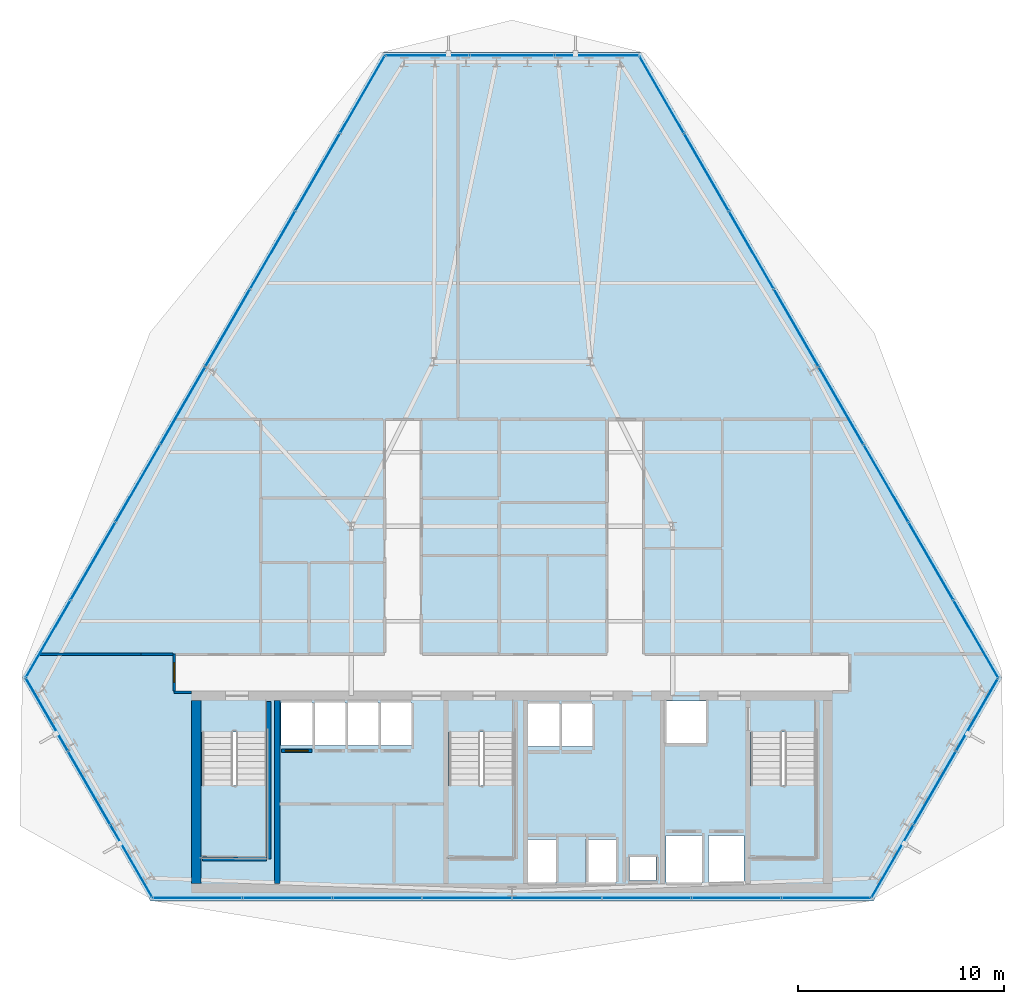
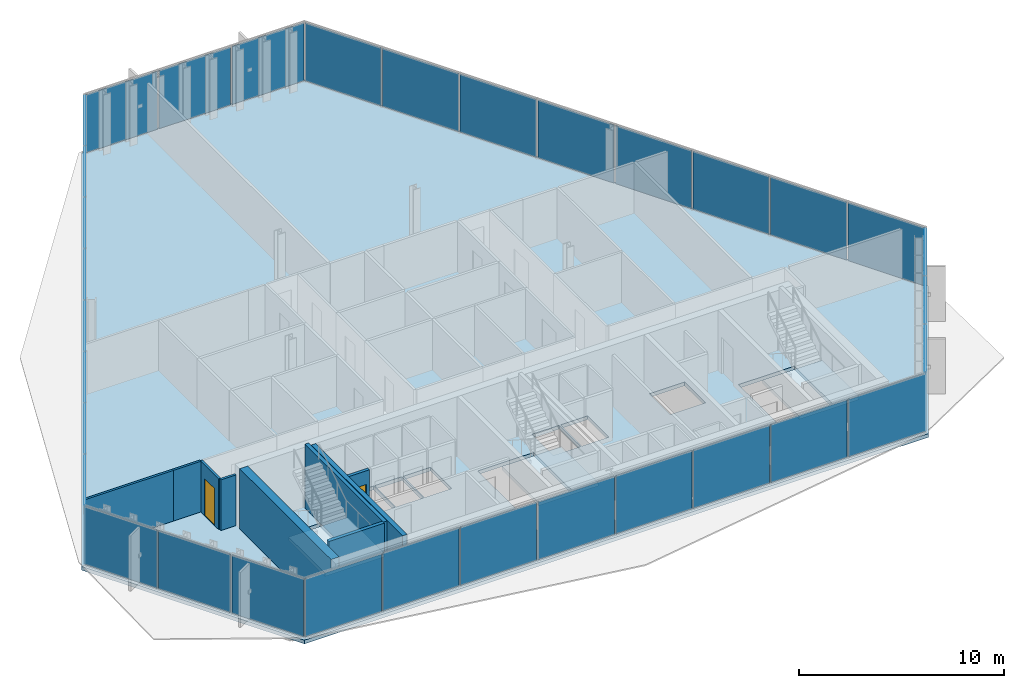
# One storey, part 26 of 36: 33 plates, 9 walls, 4 slabs, 2 doors, 2 openings, 9 elements without a shape of their own.
"""IFC4 building model written with IfcOpenShell, lengths in metres."""

import ifcopenshell
import ifcopenshell.guid

model = None  # the IFC model being written
_history = None  # IfcOwnerHistory: only IFC2X3 demands one
_inside = {}  # id of a spatial element -> (the spatial element, [elements in it])
_under = {}  # id of a project, library or spatial element -> (it, [spatial elements below it])
_declared = {}  # id of a project -> (the project, [libraries it declares])
_typed = {}  # id of a type object -> (the type object, [elements of that type])
_made_of = {}  # id of a material, layer set ... -> (it, [elements and type objects made of it])


def new_model(schema):
    """Start an empty IFC model of exactly this schema.

    Asked for "IFC4X3", IfcOpenShell would pick the latest addendum, in which some entities
    have other attributes; the version numbers below select the first issue.
    IFC2X3 requires an IfcOwnerHistory on every rooted entity: one is made here for all.
    """
    global model, _history
    if schema == "IFC4X3":
        model = ifcopenshell.file(schema_version=(4, 3, 0, 0))
    else:
        model = ifcopenshell.file(schema=schema)
    _inside.clear()
    _under.clear()
    _declared.clear()
    _typed.clear()
    _made_of.clear()
    _history = None
    if model.schema == "IFC2X3":
        org = make("IfcOrganization", Name="unknown")
        user = make(
            "IfcPersonAndOrganization",
            ThePerson=make("IfcPerson", FamilyName="unknown"),
            TheOrganization=org,
        )
        app = make(
            "IfcApplication",
            ApplicationDeveloper=org,
            Version="unknown",
            ApplicationFullName="unknown",
            ApplicationIdentifier="unknown",
        )
        _history = make(
            "IfcOwnerHistory",
            OwningUser=user,
            OwningApplication=app,
            ChangeAction="ADDED",
            CreationDate=0,
        )
    return model


def make(cls, **values):
    """One entity of the class cls with the attributes given. An attribute that is None is left unset."""
    return model.create_entity(
        cls, **{name: value for name, value in values.items() if value is not None}
    )


def rooted(cls, **values):
    """An entity with a GlobalId (a new one), such as an element, a storey or a relation."""
    return make(cls, GlobalId=ifcopenshell.guid.new(), OwnerHistory=_history, **values)


def si_unit(unit_type, name, prefix=None):
    """IfcSIUnit, for example si_unit("LENGTHUNIT", "METRE", prefix="MILLI")."""
    return make("IfcSIUnit", UnitType=unit_type, Prefix=prefix, Name=name)


def assignment(units):
    """IfcUnitAssignment: the units of a project."""
    return None if units is None else make("IfcUnitAssignment", Units=units)


def point(xyz):
    """IfcCartesianPoint."""
    return None if xyz is None else make("IfcCartesianPoint", Coordinates=xyz)


def direction(xyz):
    """IfcDirection."""
    return None if xyz is None else make("IfcDirection", DirectionRatios=xyz)


def frame(location, z_axis=None, x_axis=None):
    """IfcAxis2Placement3D, a coordinate frame: its origin and axes. An axis left out is left unset."""
    return make(
        "IfcAxis2Placement3D",
        Location=point(location),
        Axis=direction(z_axis),
        RefDirection=direction(x_axis),
    )


def frame_2d(location, x_axis=None):
    """IfcAxis2Placement2D, a coordinate frame in the plane: its origin and x axis."""
    return make(
        "IfcAxis2Placement2D", Location=point(location), RefDirection=direction(x_axis)
    )


def origin():
    """The frame at (0, 0, 0) with its axes left unset."""
    return frame((0.0, 0.0, 0.0))


def origin_2d():
    """The frame at (0, 0) in the plane with its x axis left unset."""
    return frame_2d((0.0, 0.0))


def place(relative_to, where):
    """IfcLocalPlacement: puts the frame where relative to a parent placement (None: the world)."""
    return make(
        "IfcLocalPlacement", PlacementRelTo=relative_to, RelativePlacement=where
    )


def context(
    kind, dimensions, precision=None, world=None, true_north=None, identifier=None
):
    """IfcGeometricRepresentationContext, for example the 3D "Model" context."""
    return make(
        "IfcGeometricRepresentationContext",
        ContextIdentifier=identifier,
        ContextType=kind,
        CoordinateSpaceDimension=dimensions,
        Precision=precision,
        WorldCoordinateSystem=world,
        TrueNorth=true_north,
    )


def subcontext(parent, identifier, kind, view, scale=None):
    """IfcGeometricRepresentationSubContext, for example "Body" below "Model"."""
    return make(
        "IfcGeometricRepresentationSubContext",
        ContextIdentifier=identifier,
        ContextType=kind,
        ParentContext=parent,
        TargetScale=scale,
        TargetView=view,
    )


def project(units=None, contexts=None):
    """IfcProject with its units and contexts."""
    return rooted(
        "IfcProject",
        Name="project",
        RepresentationContexts=contexts,
        UnitsInContext=assignment(units),
    )


def spatial(cls, under=None, at=None, **own):
    """A site, building, storey or space (cls), placed at a placement, below another one or the project."""
    s = rooted(cls, ObjectPlacement=at, **own)
    if under is not None:
        _under.setdefault(under.id(), (under, []))[1].append(s)
    return s


def polyline(points):
    """IfcPolyline through the points."""
    return make("IfcPolyline", Points=[point(p) for p in points])


def profile(cls, at=None, kind="AREA", **sizes):
    """A parametric profile (cls). Its sizes go by their IFC names, for example OverallWidth=200.0."""
    return make(cls, ProfileType=kind, Position=at, **sizes)


def rectangle(**sizes):
    """IfcRectangleProfileDef."""
    return profile("IfcRectangleProfileDef", **sizes)


def outline(outer, holes=None, kind="AREA"):
    """IfcArbitraryClosedProfileDef: a profile drawn as a closed curve; with holes, ...WithVoids."""
    if holes is None:
        return make("IfcArbitraryClosedProfileDef", ProfileType=kind, OuterCurve=outer)
    return make(
        "IfcArbitraryProfileDefWithVoids",
        ProfileType=kind,
        OuterCurve=outer,
        InnerCurves=holes,
    )


def extrude(swept, where, along, depth):
    """IfcExtrudedAreaSolid: the profile swept, set in the frame where, extruded along a direction by depth."""
    return make(
        "IfcExtrudedAreaSolid",
        SweptArea=swept,
        Position=where,
        ExtrudedDirection=direction(along),
        Depth=depth,
    )


def shape(context_of_items, identifier, shape_type, items):
    """IfcShapeRepresentation: the items that make up one representation, for example the "Body"."""
    return make(
        "IfcShapeRepresentation",
        ContextOfItems=context_of_items,
        RepresentationIdentifier=identifier,
        RepresentationType=shape_type,
        Items=items,
    )


def material(Name=None, Category=None):
    """IfcMaterial."""
    return make("IfcMaterial", Name=Name, Category=Category)


def layer(
    of_material, thickness, ventilated=None, Name=None, Category=None, Priority=None
):
    """IfcMaterialLayer: one layer of a wall or slab, of a material (None: an air gap)."""
    return make(
        "IfcMaterialLayer",
        Material=of_material,
        LayerThickness=thickness,
        IsVentilated=ventilated,
        Name=Name,
        Category=Category,
        Priority=Priority,
    )


def layer_set(layers, Name=None):
    """IfcMaterialLayerSet."""
    return make("IfcMaterialLayerSet", MaterialLayers=layers, LayerSetName=Name)


def made_of(thing, what):
    """Note that an element or type object is made of a material, layer set ...; save() writes the relation."""
    if what is not None:
        _made_of.setdefault(what.id(), (what, []))[1].append(thing)
    return thing


def type_object(cls, material=None, **own):
    """A type object (cls), such as IfcWallType, which elements share."""
    return made_of(rooted(cls, **own), material)


def element(
    cls,
    number,
    at=None,
    inside=None,
    cuts=None,
    type_object=None,
    material=None,
    context=None,
    identifier="Body",
    shape_type=None,
    held_by="IfcProductDefinitionShape",
    body=None,
    shapes=None,
    **own,
):
    """One element of the class cls, such as IfcWall. Its Tag is "e" and its number.

    at: its placement. inside: the storey or other place that contains it. cuts: it is an
    opening in that element (IfcRelVoidsElement). A single representation is given by context,
    identifier, shape_type and body (its items); several are given by shapes. held_by: the class
    of the entity that holds the representations. save() writes the other relations.
    """
    e = rooted(cls, Tag="e%d" % number, ObjectPlacement=at, **own)
    if body is not None:
        shapes = [shape(context, identifier, shape_type, body)]
    if shapes is not None:
        e.Representation = make(held_by, Representations=shapes)
    if inside is not None:
        _inside.setdefault(inside.id(), (inside, []))[1].append(e)
    if cuts is not None:
        rooted(
            "IfcRelVoidsElement", RelatingBuildingElement=cuts, RelatedOpeningElement=e
        )
    if type_object is not None:
        _typed.setdefault(type_object.id(), (type_object, []))[1].append(e)
    return made_of(e, material)


def fill(opening, filler):
    """IfcRelFillsElement: the door or window that sits in an opening."""
    return rooted(
        "IfcRelFillsElement",
        RelatingOpeningElement=opening,
        RelatedBuildingElement=filler,
    )


def aggregate(whole, parts):
    """IfcRelAggregates: a whole, such as a stair, and the parts it consists of."""
    return rooted("IfcRelAggregates", RelatingObject=whole, RelatedObjects=parts)


def save(model, path):
    """Write the relations noted so far, then the file.

    IfcRelAggregates (storeys below a building ...), IfcRelContainedInSpatialStructure (elements
    in a storey), IfcRelDefinesByType, IfcRelAssociatesMaterial and IfcRelDeclares: one each for
    every whole, place, type object, material and project.
    """
    for whole, parts in _under.values():
        aggregate(whole, parts)
    for where, things in _inside.values():
        rooted(
            "IfcRelContainedInSpatialStructure",
            RelatedElements=things,
            RelatingStructure=where,
        )
    for kind, things in _typed.values():
        rooted("IfcRelDefinesByType", RelatedObjects=things, RelatingType=kind)
    for what, things in _made_of.values():
        rooted("IfcRelAssociatesMaterial", RelatedObjects=things, RelatingMaterial=what)
    for by, libraries in _declared.values():
        rooted("IfcRelDeclares", RelatingContext=by, RelatedDefinitions=libraries)
    model.write(path)


model = new_model("IFC4")

# Units and contexts
model_context = context("Model", 3, precision=1e-05, world=origin(), true_north=direction((0.0, 1.0)))
body_context = subcontext(model_context, "Body", "Model", "MODEL_VIEW")
ifc_project = project(units=[si_unit("LENGTHUNIT", "METRE"), si_unit("AREAUNIT", "SQUARE_METRE"), si_unit("VOLUMEUNIT", "CUBIC_METRE"), si_unit("PLANEANGLEUNIT", "RADIAN"), si_unit("MASSUNIT", "GRAM", prefix="KILO")], contexts=[model_context])

# Site, building, storey
site_placement = place(None, origin())
site = spatial("IfcSite", under=ifc_project, at=site_placement, CompositionType="ELEMENT")
building_placement = place(site_placement, origin())
building = spatial("IfcBuilding", under=site, at=building_placement, Name="Ndaravel Arena Tower", CompositionType="ELEMENT")
storey_placement = place(building_placement, frame((0.0, 0.0, 127.0)))
storey = spatial("IfcBuildingStorey", under=building, at=storey_placement, Name="L29", CompositionType="ELEMENT", Elevation=127.0)

# Curtain wall, plate
ifc_material_1 = material(Name="Aluminium", Category="aluminium")
ifc_layer_1 = layer(ifc_material_1, 0.179931640625)
ifc_layer_set_1 = layer_set([ifc_layer_1], Name="Aluminium")
curtain_wall_type_1 = type_object("IfcCurtainWallType", Name="CW-SYS-01", PredefinedType="NOTDEFINED", material=ifc_layer_set_1)
curtain_wall_1_placement = place(storey_placement, origin())
curtain_wall_1 = element("IfcCurtainWall", 1, at=curtain_wall_1_placement, inside=storey, type_object=curtain_wall_type_1, Name="L29 Faceted Crystal Curtain Wall CW-L29-E02", PredefinedType="NOTDEFINED")
ifc_material_2 = material(Name="Glazing", Category="glass")
ifc_layer_2 = layer(ifc_material_2, 0.035888671875)
ifc_layer_set_2 = layer_set([ifc_layer_2], Name="Glazing")
plate_type_1 = type_object("IfcPlateType", Name="PLT-CW-OPVENT", PredefinedType="CURTAIN_PANEL", material=ifc_layer_set_2)
plate_1_placement = place(storey_placement, frame((62.528076171875, 10.50048828125, 0.06005859375), z_axis=(0.0, 0.0, 1.0), x_axis=(0.5, 0.866025403784, 0.0)))
plate_1 = element("IfcPlate", 2, at=plate_1_placement, type_object=plate_type_1, Name="CW-L29-E02 Operable Vent Sash Panel 02", PredefinedType="CURTAIN_PANEL", context=body_context, shape_type="SweptSolid", body=[
    extrude(rectangle(XDim=4.03125, YDim=0.035888671875, at=origin_2d()), origin(), (0.0, 0.0, 1.0), 3.4599609375),
])

curtain_wall_2_placement = place(storey_placement, origin())
curtain_wall_2 = element("IfcCurtainWall", 3, at=curtain_wall_2_placement, inside=storey, type_object=curtain_wall_type_1, Name="L29 Faceted Crystal Curtain Wall CW-L29-E04", PredefinedType="NOTDEFINED")
plate_2_placement = place(storey_placement, frame((42.0, 46.05615234375, 0.06005859375), z_axis=(0.0, 0.0, 1.0), x_axis=(-1.0, 0.0, 0.0)))
plate_2 = element("IfcPlate", 4, at=plate_2_placement, type_object=plate_type_1, Name="CW-L29-E04 Operable Vent Sash Panel 02", PredefinedType="CURTAIN_PANEL", context=body_context, shape_type="SweptSolid", body=[
    extrude(rectangle(XDim=4.031005859375, YDim=0.035888671875, at=origin_2d()), origin(), (0.0, 0.0, 1.0), 3.4599609375),
])

ifc_material_3 = material(Name="Aluminium", Category="aluminium")
ifc_layer_3 = layer(ifc_material_3, 0.179931640625)
ifc_layer_set_3 = layer_set([ifc_layer_3], Name="Aluminium")
curtain_wall_type_2 = type_object("IfcCurtainWallType", Name="CW-SYS-02", PredefinedType="NOTDEFINED", material=ifc_layer_set_3)
curtain_wall_3_placement = place(storey_placement, origin())
curtain_wall_3 = element("IfcCurtainWall", 5, at=curtain_wall_3_placement, inside=storey, type_object=curtain_wall_type_2, Name="L29 Faceted Crystal Curtain Wall CW-L29-E06", PredefinedType="NOTDEFINED")
plate_3_placement = place(storey_placement, frame((21.471923828125, 10.50048828125, 0.06005859375), z_axis=(0.0, 0.0, 1.0), x_axis=(0.5, -0.866025403784, 0.0)))
plate_3 = element("IfcPlate", 6, at=plate_3_placement, type_object=plate_type_1, Name="CW-L29-E06 Operable Vent Sash Panel 02", PredefinedType="CURTAIN_PANEL", context=body_context, shape_type="SweptSolid", body=[
    extrude(rectangle(XDim=4.03125, YDim=0.035888671875, at=origin_2d()), origin(), (0.0, 0.0, 1.0), 3.4599609375),
])

# Plate
ifc_material_4 = material(Name="Glazing", Category="glass")
ifc_layer_4 = layer(ifc_material_4, 0.031982421875)
ifc_layer_set_4 = layer_set([ifc_layer_4], Name="Glazing")
plate_type_2 = type_object("IfcPlateType", Name="PLT-GLZ-FRIT35", PredefinedType="CURTAIN_PANEL", material=ifc_layer_set_4)
plate_4_placement = place(storey_placement, frame((60.472412109375, 6.940185546875, 0.06005859375), z_axis=(0.0, 0.0, 1.0), x_axis=(0.5, 0.866025403784, 0.0)))
plate_4 = element("IfcPlate", 7, at=plate_4_placement, type_object=plate_type_2, Name="CW-L29-E02 Vision Glass Panel 01", PredefinedType="CURTAIN_PANEL", context=body_context, shape_type="SweptSolid", body=[
    extrude(rectangle(XDim=4.03125, YDim=0.035888671875, at=origin_2d()), origin(), (0.0, 0.0, 1.0), 3.4599609375),
])

plate_5_placement = place(storey_placement, frame((64.58349609375, 14.060791015625, 0.06005859375), z_axis=(0.0, 0.0, 1.0), x_axis=(0.5, 0.866025403784, 0.0)))
plate_5 = element("IfcPlate", 8, at=plate_5_placement, type_object=plate_type_2, Name="CW-L29-E02 Vision Glass Panel 03", PredefinedType="CURTAIN_PANEL", context=body_context, shape_type="SweptSolid", body=[
    extrude(rectangle(XDim=4.03125, YDim=0.035888671875, at=origin_2d()), origin(), (0.0, 0.0, 1.0), 3.4599609375),
])

aggregate(curtain_wall_1, [plate_4, plate_1, plate_5])

plate_6_placement = place(storey_placement, frame((46.111083984375, 46.05615234375, 0.06005859375), z_axis=(0.0, 0.0, 1.0), x_axis=(-1.0, 0.0, 0.0)))
plate_6 = element("IfcPlate", 9, at=plate_6_placement, type_object=plate_type_2, Name="CW-L29-E04 Vision Glass Panel 01", PredefinedType="CURTAIN_PANEL", context=body_context, shape_type="SweptSolid", body=[
    extrude(rectangle(XDim=4.031005859375, YDim=0.035888671875, at=origin_2d()), origin(), (0.0, 0.0, 1.0), 3.4599609375),
])

plate_7_placement = place(storey_placement, frame((37.888916015625, 46.05615234375, 0.06005859375), z_axis=(0.0, 0.0, 1.0), x_axis=(-1.0, 0.0, 0.0)))
plate_7 = element("IfcPlate", 10, at=plate_7_placement, type_object=plate_type_2, Name="CW-L29-E04 Vision Glass Panel 03", PredefinedType="CURTAIN_PANEL", context=body_context, shape_type="SweptSolid", body=[
    extrude(rectangle(XDim=4.031005859375, YDim=0.035888671875, at=origin_2d()), origin(), (0.0, 0.0, 1.0), 3.4599609375),
])

aggregate(curtain_wall_2, [plate_6, plate_2, plate_7])

ifc_material_5 = material(Name="Glazing", Category="glass")
ifc_layer_5 = layer(ifc_material_5, 0.035888671875)
ifc_layer_set_5 = layer_set([ifc_layer_5], Name="Glazing")
plate_type_3 = type_object("IfcPlateType", Name="PLT-GLZ-FRIT55", PredefinedType="CURTAIN_PANEL", material=ifc_layer_set_5)
plate_8_placement = place(storey_placement, frame((19.41650390625, 14.060791015625, 0.06005859375), z_axis=(0.0, 0.0, 1.0), x_axis=(0.5, -0.866025403784, 0.0)))
plate_8 = element("IfcPlate", 11, at=plate_8_placement, type_object=plate_type_3, Name="CW-L29-E06 Vision Glass Panel 01", PredefinedType="CURTAIN_PANEL", context=body_context, shape_type="SweptSolid", body=[
    extrude(rectangle(XDim=4.03125, YDim=0.035888671875, at=origin_2d()), origin(), (0.0, 0.0, 1.0), 3.4599609375),
])

plate_9_placement = place(storey_placement, frame((23.527587890625, 6.940185546875, 0.06005859375), z_axis=(0.0, 0.0, 1.0), x_axis=(0.5, -0.866025403784, 0.0)))
plate_9 = element("IfcPlate", 12, at=plate_9_placement, type_object=plate_type_3, Name="CW-L29-E06 Vision Glass Panel 03", PredefinedType="CURTAIN_PANEL", context=body_context, shape_type="SweptSolid", body=[
    extrude(rectangle(XDim=4.03125, YDim=0.035888671875, at=origin_2d()), origin(), (0.0, 0.0, 1.0), 3.4599609375),
])

aggregate(curtain_wall_3, [plate_8, plate_3, plate_9])

# Curtain wall, plates
ifc_material_6 = material(Name="Aluminium", Category="aluminium")
ifc_layer_6 = layer(ifc_material_6, 0.179931640625)
ifc_layer_set_6 = layer_set([ifc_layer_6], Name="Aluminium")
curtain_wall_type_3 = type_object("IfcCurtainWallType", Name="CW-SYS-03", PredefinedType="NOTDEFINED", material=ifc_layer_set_6)
curtain_wall_4_placement = place(storey_placement, origin())
curtain_wall_4 = element("IfcCurtainWall", 13, at=curtain_wall_4_placement, inside=storey, type_object=curtain_wall_type_3, Name="L29 Faceted Crystal Curtain Wall CW-L29-E01", PredefinedType="NOTDEFINED")
ifc_material_7 = material(Name="Glazing", Category="glass")
ifc_layer_7 = layer(ifc_material_7, 0.0400390625)
ifc_layer_set_7 = layer_set([ifc_layer_7], Name="Glazing")
plate_type_4 = type_object("IfcPlateType", Name="PLT-GLZ-LOWIRON", PredefinedType="CURTAIN_PANEL", material=ifc_layer_set_7)
plate_10_placement = place(storey_placement, frame((26.736083984375, 5.159912109375, 0.06005859375), z_axis=(0.0, 0.0, 1.0), x_axis=(1.0, 0.0, 0.0)))
plate_10 = element("IfcPlate", 14, at=plate_10_placement, type_object=plate_type_4, Name="CW-L29-E01 Vision Glass Panel 01", PredefinedType="CURTAIN_PANEL", context=body_context, shape_type="SweptSolid", body=[
    extrude(rectangle(XDim=4.28125, YDim=0.035888671875, at=origin_2d()), origin(), (0.0, 0.0, 1.0), 3.4599609375),
])
plate_11_placement = place(storey_placement, frame((31.09716796875, 5.159912109375, 0.06005859375), z_axis=(0.0, 0.0, 1.0), x_axis=(1.0, 0.0, 0.0)))
plate_11 = element("IfcPlate", 15, at=plate_11_placement, type_object=plate_type_4, Name="CW-L29-E01 Vision Glass Panel 02", PredefinedType="CURTAIN_PANEL", context=body_context, shape_type="SweptSolid", body=[
    extrude(rectangle(XDim=4.28125, YDim=0.035888671875, at=origin_2d()), origin(), (0.0, 0.0, 1.0), 3.4599609375),
])
plate_12_placement = place(storey_placement, frame((35.458251953125, 5.159912109375, 0.06005859375), z_axis=(0.0, 0.0, 1.0), x_axis=(1.0, 0.0, 0.0)))
plate_12 = element("IfcPlate", 16, at=plate_12_placement, type_object=plate_type_4, Name="CW-L29-E01 Vision Glass Panel 03", PredefinedType="CURTAIN_PANEL", context=body_context, shape_type="SweptSolid", body=[
    extrude(rectangle(XDim=4.28125, YDim=0.035888671875, at=origin_2d()), origin(), (0.0, 0.0, 1.0), 3.4599609375),
])
plate_13_placement = place(storey_placement, frame((39.8193359375, 5.159912109375, 0.06005859375), z_axis=(0.0, 0.0, 1.0), x_axis=(1.0, 0.0, 0.0)))
plate_13 = element("IfcPlate", 17, at=plate_13_placement, type_object=plate_type_4, Name="CW-L29-E01 Vision Glass Panel 04", PredefinedType="CURTAIN_PANEL", context=body_context, shape_type="SweptSolid", body=[
    extrude(rectangle(XDim=4.28125, YDim=0.035888671875, at=origin_2d()), origin(), (0.0, 0.0, 1.0), 3.4599609375),
])
plate_14_placement = place(storey_placement, frame((44.1806640625, 5.159912109375, 0.06005859375), z_axis=(0.0, 0.0, 1.0), x_axis=(1.0, 0.0, 0.0)))
plate_14 = element("IfcPlate", 18, at=plate_14_placement, type_object=plate_type_4, Name="CW-L29-E01 Vision Glass Panel 05", PredefinedType="CURTAIN_PANEL", context=body_context, shape_type="SweptSolid", body=[
    extrude(rectangle(XDim=4.28125, YDim=0.035888671875, at=origin_2d()), origin(), (0.0, 0.0, 1.0), 3.4599609375),
])
plate_15_placement = place(storey_placement, frame((48.541748046875, 5.159912109375, 0.06005859375), z_axis=(0.0, 0.0, 1.0), x_axis=(1.0, 0.0, 0.0)))
plate_15 = element("IfcPlate", 19, at=plate_15_placement, type_object=plate_type_4, Name="CW-L29-E01 Vision Glass Panel 06", PredefinedType="CURTAIN_PANEL", context=body_context, shape_type="SweptSolid", body=[
    extrude(rectangle(XDim=4.28125, YDim=0.035888671875, at=origin_2d()), origin(), (0.0, 0.0, 1.0), 3.4599609375),
])
plate_16_placement = place(storey_placement, frame((52.90283203125, 5.159912109375, 0.06005859375), z_axis=(0.0, 0.0, 1.0), x_axis=(1.0, 0.0, 0.0)))
plate_16 = element("IfcPlate", 20, at=plate_16_placement, type_object=plate_type_4, Name="CW-L29-E01 Vision Glass Panel 07", PredefinedType="CURTAIN_PANEL", context=body_context, shape_type="SweptSolid", body=[
    extrude(rectangle(XDim=4.28125, YDim=0.035888671875, at=origin_2d()), origin(), (0.0, 0.0, 1.0), 3.4599609375),
])
plate_17_placement = place(storey_placement, frame((57.263916015625, 5.159912109375, 0.06005859375), z_axis=(0.0, 0.0, 1.0), x_axis=(1.0, 0.0, 0.0)))
plate_17 = element("IfcPlate", 21, at=plate_17_placement, type_object=plate_type_4, Name="CW-L29-E01 Vision Glass Panel 08", PredefinedType="CURTAIN_PANEL", context=body_context, shape_type="SweptSolid", body=[
    extrude(rectangle(XDim=4.28125, YDim=0.035888671875, at=origin_2d()), origin(), (0.0, 0.0, 1.0), 3.4599609375),
])
aggregate(curtain_wall_4, [plate_10, plate_11, plate_12, plate_13, plate_14, plate_15, plate_16, plate_17])

curtain_wall_5_placement = place(storey_placement, origin())
curtain_wall_5 = element("IfcCurtainWall", 22, at=curtain_wall_5_placement, inside=storey, type_object=curtain_wall_type_3, Name="L29 Faceted Crystal Curtain Wall CW-L29-E03", PredefinedType="NOTDEFINED")
plate_18_placement = place(storey_placement, frame((64.52099609375, 17.7294921875, 0.06005859375), z_axis=(0.0, 0.0, 1.0), x_axis=(-0.5, 0.866025403784, 0.0)))
plate_18 = element("IfcPlate", 23, at=plate_18_placement, type_object=plate_type_4, Name="CW-L29-E03 Vision Glass Panel 01", PredefinedType="CURTAIN_PANEL", context=body_context, shape_type="SweptSolid", body=[
    extrude(rectangle(XDim=4.28125, YDim=0.035888671875, at=origin_2d()), origin(), (0.0, 0.0, 1.0), 3.4599609375),
])
plate_19_placement = place(storey_placement, frame((62.34033203125, 21.50634765625, 0.06005859375), z_axis=(0.0, 0.0, 1.0), x_axis=(-0.5, 0.866025403784, 0.0)))
plate_19 = element("IfcPlate", 24, at=plate_19_placement, type_object=plate_type_4, Name="CW-L29-E03 Vision Glass Panel 02", PredefinedType="CURTAIN_PANEL", context=body_context, shape_type="SweptSolid", body=[
    extrude(rectangle(XDim=4.28125, YDim=0.035888671875, at=origin_2d()), origin(), (0.0, 0.0, 1.0), 3.4599609375),
])
plate_20_placement = place(storey_placement, frame((60.159912109375, 25.283203125, 0.06005859375), z_axis=(0.0, 0.0, 1.0), x_axis=(-0.5, 0.866025403784, 0.0)))
plate_20 = element("IfcPlate", 25, at=plate_20_placement, type_object=plate_type_4, Name="CW-L29-E03 Vision Glass Panel 03", PredefinedType="CURTAIN_PANEL", context=body_context, shape_type="SweptSolid", body=[
    extrude(rectangle(XDim=4.28125, YDim=0.035888671875, at=origin_2d()), origin(), (0.0, 0.0, 1.0), 3.4599609375),
])
plate_21_placement = place(storey_placement, frame((57.979248046875, 29.060302734375, 0.06005859375), z_axis=(0.0, 0.0, 1.0), x_axis=(-0.5, 0.866025403784, 0.0)))
plate_21 = element("IfcPlate", 26, at=plate_21_placement, type_object=plate_type_4, Name="CW-L29-E03 Vision Glass Panel 04", PredefinedType="CURTAIN_PANEL", context=body_context, shape_type="SweptSolid", body=[
    extrude(rectangle(XDim=4.28125, YDim=0.035888671875, at=origin_2d()), origin(), (0.0, 0.0, 1.0), 3.4599609375),
])
plate_22_placement = place(storey_placement, frame((55.798583984375, 32.8369140625, 0.06005859375), z_axis=(0.0, 0.0, 1.0), x_axis=(-0.5, 0.866025403784, 0.0)))
plate_22 = element("IfcPlate", 27, at=plate_22_placement, type_object=plate_type_4, Name="CW-L29-E03 Vision Glass Panel 05", PredefinedType="CURTAIN_PANEL", context=body_context, shape_type="SweptSolid", body=[
    extrude(rectangle(XDim=4.28125, YDim=0.035888671875, at=origin_2d()), origin(), (0.0, 0.0, 1.0), 3.4599609375),
])
plate_23_placement = place(storey_placement, frame((53.6181640625, 36.614013671875, 0.06005859375), z_axis=(0.0, 0.0, 1.0), x_axis=(-0.5, 0.866025403784, 0.0)))
plate_23 = element("IfcPlate", 28, at=plate_23_placement, type_object=plate_type_4, Name="CW-L29-E03 Vision Glass Panel 06", PredefinedType="CURTAIN_PANEL", context=body_context, shape_type="SweptSolid", body=[
    extrude(rectangle(XDim=4.28125, YDim=0.035888671875, at=origin_2d()), origin(), (0.0, 0.0, 1.0), 3.4599609375),
])
plate_24_placement = place(storey_placement, frame((51.4375, 40.390869140625, 0.06005859375), z_axis=(0.0, 0.0, 1.0), x_axis=(-0.5, 0.866025403784, 0.0)))
plate_24 = element("IfcPlate", 29, at=plate_24_placement, type_object=plate_type_4, Name="CW-L29-E03 Vision Glass Panel 07", PredefinedType="CURTAIN_PANEL", context=body_context, shape_type="SweptSolid", body=[
    extrude(rectangle(XDim=4.28125, YDim=0.035888671875, at=origin_2d()), origin(), (0.0, 0.0, 1.0), 3.4599609375),
])
plate_25_placement = place(storey_placement, frame((49.257080078125, 44.167724609375, 0.06005859375), z_axis=(0.0, 0.0, 1.0), x_axis=(-0.5, 0.866025403784, 0.0)))
plate_25 = element("IfcPlate", 30, at=plate_25_placement, type_object=plate_type_4, Name="CW-L29-E03 Vision Glass Panel 08", PredefinedType="CURTAIN_PANEL", context=body_context, shape_type="SweptSolid", body=[
    extrude(rectangle(XDim=4.28125, YDim=0.035888671875, at=origin_2d()), origin(), (0.0, 0.0, 1.0), 3.4599609375),
])
aggregate(curtain_wall_5, [plate_18, plate_19, plate_20, plate_21, plate_22, plate_23, plate_24, plate_25])

curtain_wall_6_placement = place(storey_placement, origin())
curtain_wall_6 = element("IfcCurtainWall", 31, at=curtain_wall_6_placement, inside=storey, type_object=curtain_wall_type_3, Name="L29 Faceted Crystal Curtain Wall CW-L29-E05", PredefinedType="NOTDEFINED")
plate_26_placement = place(storey_placement, frame((34.742919921875, 44.167724609375, 0.06005859375), z_axis=(0.0, 0.0, 1.0), x_axis=(-0.5, -0.866025403784, 0.0)))
plate_26 = element("IfcPlate", 32, at=plate_26_placement, type_object=plate_type_4, Name="CW-L29-E05 Vision Glass Panel 01", PredefinedType="CURTAIN_PANEL", context=body_context, shape_type="SweptSolid", body=[
    extrude(rectangle(XDim=4.28125, YDim=0.035888671875, at=origin_2d()), origin(), (0.0, 0.0, 1.0), 3.4599609375),
])
plate_27_placement = place(storey_placement, frame((32.5625, 40.390869140625, 0.06005859375), z_axis=(0.0, 0.0, 1.0), x_axis=(-0.5, -0.866025403784, 0.0)))
plate_27 = element("IfcPlate", 33, at=plate_27_placement, type_object=plate_type_4, Name="CW-L29-E05 Vision Glass Panel 02", PredefinedType="CURTAIN_PANEL", context=body_context, shape_type="SweptSolid", body=[
    extrude(rectangle(XDim=4.28125, YDim=0.035888671875, at=origin_2d()), origin(), (0.0, 0.0, 1.0), 3.4599609375),
])
plate_28_placement = place(storey_placement, frame((30.3818359375, 36.614013671875, 0.06005859375), z_axis=(0.0, 0.0, 1.0), x_axis=(-0.5, -0.866025403784, 0.0)))
plate_28 = element("IfcPlate", 34, at=plate_28_placement, type_object=plate_type_4, Name="CW-L29-E05 Vision Glass Panel 03", PredefinedType="CURTAIN_PANEL", context=body_context, shape_type="SweptSolid", body=[
    extrude(rectangle(XDim=4.28125, YDim=0.035888671875, at=origin_2d()), origin(), (0.0, 0.0, 1.0), 3.4599609375),
])
plate_29_placement = place(storey_placement, frame((28.201416015625, 32.8369140625, 0.06005859375), z_axis=(0.0, 0.0, 1.0), x_axis=(-0.5, -0.866025403784, 0.0)))
plate_29 = element("IfcPlate", 35, at=plate_29_placement, type_object=plate_type_4, Name="CW-L29-E05 Vision Glass Panel 04", PredefinedType="CURTAIN_PANEL", context=body_context, shape_type="SweptSolid", body=[
    extrude(rectangle(XDim=4.28125, YDim=0.035888671875, at=origin_2d()), origin(), (0.0, 0.0, 1.0), 3.4599609375),
])
plate_30_placement = place(storey_placement, frame((26.020751953125, 29.060302734375, 0.06005859375), z_axis=(0.0, 0.0, 1.0), x_axis=(-0.5, -0.866025403784, 0.0)))
plate_30 = element("IfcPlate", 36, at=plate_30_placement, type_object=plate_type_4, Name="CW-L29-E05 Vision Glass Panel 05", PredefinedType="CURTAIN_PANEL", context=body_context, shape_type="SweptSolid", body=[
    extrude(rectangle(XDim=4.28125, YDim=0.035888671875, at=origin_2d()), origin(), (0.0, 0.0, 1.0), 3.4599609375),
])
plate_31_placement = place(storey_placement, frame((23.840087890625, 25.283203125, 0.06005859375), z_axis=(0.0, 0.0, 1.0), x_axis=(-0.5, -0.866025403784, 0.0)))
plate_31 = element("IfcPlate", 37, at=plate_31_placement, type_object=plate_type_4, Name="CW-L29-E05 Vision Glass Panel 06", PredefinedType="CURTAIN_PANEL", context=body_context, shape_type="SweptSolid", body=[
    extrude(rectangle(XDim=4.28125, YDim=0.035888671875, at=origin_2d()), origin(), (0.0, 0.0, 1.0), 3.4599609375),
])
plate_32_placement = place(storey_placement, frame((21.65966796875, 21.50634765625, 0.06005859375), z_axis=(0.0, 0.0, 1.0), x_axis=(-0.5, -0.866025403784, 0.0)))
plate_32 = element("IfcPlate", 38, at=plate_32_placement, type_object=plate_type_4, Name="CW-L29-E05 Vision Glass Panel 07", PredefinedType="CURTAIN_PANEL", context=body_context, shape_type="SweptSolid", body=[
    extrude(rectangle(XDim=4.28125, YDim=0.035888671875, at=origin_2d()), origin(), (0.0, 0.0, 1.0), 3.4599609375),
])
plate_33_placement = place(storey_placement, frame((19.47900390625, 17.7294921875, 0.06005859375), z_axis=(0.0, 0.0, 1.0), x_axis=(-0.5, -0.866025403784, 0.0)))
plate_33 = element("IfcPlate", 39, at=plate_33_placement, type_object=plate_type_4, Name="CW-L29-E05 Vision Glass Panel 08", PredefinedType="CURTAIN_PANEL", context=body_context, shape_type="SweptSolid", body=[
    extrude(rectangle(XDim=4.28125, YDim=0.035888671875, at=origin_2d()), origin(), (0.0, 0.0, 1.0), 3.4599609375),
])
aggregate(curtain_wall_6, [plate_26, plate_27, plate_28, plate_29, plate_30, plate_31, plate_32, plate_33])

# Stair, slab
ifc_material_8 = material(Name="Concrete C40/50", Category="concrete")
stair_type = type_object("IfcStairType", Name="STAIR-CORE-HT", PredefinedType="HALF_TURN_STAIR", material=ifc_material_8)
stair_1_placement = place(storey_placement, origin())
stair_1 = element("IfcStair", 40, at=stair_1_placement, inside=storey, type_object=stair_type, Name="L29 ST-1", PredefinedType="HALF_TURN_STAIR")
ifc_material_9 = material(Name="Concrete C40/50", Category="concrete")
ifc_layer_8 = layer(ifc_material_9, 0.199951171875)
ifc_layer_set_8 = layer_set([ifc_layer_8], Name="Concrete C40/50")
slab_type_1 = type_object("IfcSlabType", Name="SLAB-STAIR-LANDING", PredefinedType="LANDING", material=ifc_layer_set_8)
slab_1_placement = place(storey_placement, frame((0.0, 0.0, 1.699951171875)))
slab_1 = element("IfcSlab", 41, at=slab_1_placement, type_object=slab_type_1, Name="ST-1 landing 1", PredefinedType="LANDING", context=body_context, shape_type="SweptSolid", body=[
    extrude(outline(polyline([(26.81005859375, 10.6298828125), (26.81005859375, 7.070068359375), (30.169921875, 7.070068359375), (30.169921875, 10.6298828125), (26.81005859375, 10.6298828125)])), origin(), (0.0, 0.0, 1.0), 0.199951171875),
])
aggregate(stair_1, [slab_1])

stair_2_placement = place(storey_placement, origin())
stair_2 = element("IfcStair", 42, at=stair_2_placement, inside=storey, type_object=stair_type, Name="L29 ST-2", PredefinedType="HALF_TURN_STAIR")
slab_2_placement = place(storey_placement, frame((0.0, 0.0, 1.699951171875)))
slab_2 = element("IfcSlab", 43, at=slab_2_placement, type_object=slab_type_1, Name="ST-2 landing 1", PredefinedType="LANDING", context=body_context, shape_type="SweptSolid", body=[
    extrude(outline(polyline([(38.81005859375, 10.6298828125), (38.81005859375, 7.070068359375), (42.169921875, 7.070068359375), (42.169921875, 10.6298828125), (38.81005859375, 10.6298828125)])), origin(), (0.0, 0.0, 1.0), 0.199951171875),
])
aggregate(stair_2, [slab_2])

stair_3_placement = place(storey_placement, origin())
stair_3 = element("IfcStair", 44, at=stair_3_placement, inside=storey, type_object=stair_type, Name="L29 ST-3", PredefinedType="HALF_TURN_STAIR")
slab_3_placement = place(storey_placement, frame((0.0, 0.0, 1.699951171875)))
slab_3 = element("IfcSlab", 45, at=slab_3_placement, type_object=slab_type_1, Name="ST-3 landing 1", PredefinedType="LANDING", context=body_context, shape_type="SweptSolid", body=[
    extrude(outline(polyline([(53.4599609375, 10.6298828125), (53.4599609375, 7.070068359375), (56.820068359375, 7.070068359375), (56.820068359375, 10.6298828125), (53.4599609375, 10.6298828125)])), origin(), (0.0, 0.0, 1.0), 0.199951171875),
])
aggregate(stair_3, [slab_3])

# Slab
ifc_material_10 = material(Name="Concrete C40/50", Category="concrete")
ifc_layer_9 = layer(ifc_material_10, 0.219970703125)
ifc_layer_set_9 = layer_set([ifc_layer_9], Name="Concrete C40/50")
slab_type_2 = type_object("IfcSlabType", Name="SLAB-TWR-220", PredefinedType="FLOOR", material=ifc_layer_set_9)
slab_4_placement = place(storey_placement, frame((0.0, 0.0, -0.219970703125)))
element("IfcSlab", 46, at=slab_4_placement, inside=storey, type_object=slab_type_2, Name="L29 Structural Floor Slab", PredefinedType="FLOOR", context=body_context, shape_type="SweptSolid", body=[
    extrude(outline(polyline([(18.203857421875, 15.841064453125), (24.462890625, 5.0), (59.537109375, 5.0), (65.796142578125, 15.841064453125), (48.259033203125, 46.216064453125), (35.740966796875, 46.216064453125), (18.203857421875, 15.841064453125)]), holes=[polyline([(26.949951171875, 13.215087890625), (26.949951171875, 7.14990234375), (30.090087890625, 7.14990234375), (30.090087890625, 13.215087890625), (26.949951171875, 13.215087890625)]), polyline([(38.949951171875, 13.215087890625), (38.949951171875, 7.14990234375), (42.090087890625, 7.14990234375), (42.090087890625, 13.215087890625), (38.949951171875, 13.215087890625)]), polyline([(53.60009765625, 13.215087890625), (53.60009765625, 7.14990234375), (56.739990234375, 7.14990234375), (56.739990234375, 13.215087890625), (53.60009765625, 13.215087890625)]), polyline([(30.784912109375, 12.56005859375), (32.31494140625, 12.56005859375), (32.31494140625, 14.639892578125), (30.784912109375, 14.639892578125), (30.784912109375, 12.56005859375)]), polyline([(32.385009765625, 12.56005859375), (33.9150390625, 12.56005859375), (33.9150390625, 14.639892578125), (32.385009765625, 14.639892578125), (32.385009765625, 12.56005859375)]), polyline([(33.985107421875, 12.56005859375), (35.514892578125, 12.56005859375), (35.514892578125, 14.639892578125), (33.985107421875, 14.639892578125), (33.985107421875, 12.56005859375)]), polyline([(35.5849609375, 12.56005859375), (37.114990234375, 12.56005859375), (37.114990234375, 14.639892578125), (35.5849609375, 14.639892578125), (35.5849609375, 12.56005859375)]), polyline([(42.659912109375, 5.909912109375), (44.139892578125, 5.909912109375), (44.139892578125, 7.989990234375), (42.659912109375, 7.989990234375), (42.659912109375, 5.909912109375)]), polyline([(45.56005859375, 5.909912109375), (47.0400390625, 5.909912109375), (47.0400390625, 7.989990234375), (45.56005859375, 7.989990234375), (45.56005859375, 5.909912109375)]), polyline([(42.784912109375, 12.510009765625), (44.31494140625, 12.510009765625), (44.31494140625, 14.590087890625), (42.784912109375, 14.590087890625), (42.784912109375, 12.510009765625)]), polyline([(44.385009765625, 12.510009765625), (45.9150390625, 12.510009765625), (45.9150390625, 14.590087890625), (44.385009765625, 14.590087890625), (44.385009765625, 12.510009765625)]), polyline([(49.485107421875, 5.909912109375), (51.215087890625, 5.909912109375), (51.215087890625, 8.18994140625), (49.485107421875, 8.18994140625), (49.485107421875, 5.909912109375)]), polyline([(51.534912109375, 5.909912109375), (53.264892578125, 5.909912109375), (53.264892578125, 8.18994140625), (51.534912109375, 8.18994140625), (51.534912109375, 5.909912109375)]), polyline([(49.4599609375, 12.68505859375), (51.43994140625, 12.68505859375), (51.43994140625, 14.715087890625), (49.4599609375, 14.715087890625), (49.4599609375, 12.68505859375)]), polyline([(47.699951171875, 6.0), (49.0, 6.0), (49.0, 7.139892578125), (47.699951171875, 7.139892578125), (47.699951171875, 6.0)])]), origin(), (0.0, 0.0, 1.0), 0.219970703125),
])

# Walls
ifc_material_11 = material(Name="Concrete C60/75", Category="concrete")
ifc_layer_10 = layer(ifc_material_11, 0.25)
ifc_layer_set_10 = layer_set([ifc_layer_10], Name="Concrete C60/75")
wall_type_1 = type_object("IfcWallType", Name="WALL-CORE-250", PredefinedType="SOLIDWALL", material=ifc_layer_set_10)
wall_1_placement = place(storey_placement, frame((30.60009765625, 5.85009765625, 0.0), z_axis=(0.0, 0.0, 1.0), x_axis=(0.0, 1.0, 0.0)))
element("IfcWall", 47, at=wall_1_placement, inside=storey, type_object=wall_type_1, Name="L29 Core Web Shear Wall 1", PredefinedType="SOLIDWALL", context=body_context, shape_type="SweptSolid", body=[
    extrude(rectangle(XDim=8.89990234375, YDim=0.25, at=frame_2d((4.449951171875, 0.0))), origin(), (0.0, 0.0, 1.0), 3.580078125),
])
ifc_material_12 = material(Name="Concrete C60/75", Category="concrete")
ifc_layer_11 = layer(ifc_material_12, 0.449951171875)
ifc_layer_set_11 = layer_set([ifc_layer_11], Name="Concrete C60/75")
wall_type_2 = type_object("IfcWallType", Name="WALL-CORE-450", PredefinedType="SOLIDWALL", material=ifc_layer_set_11)
wall_2_placement = place(storey_placement, frame((26.675048828125, 5.85009765625, 0.0), z_axis=(0.0, 0.0, 1.0), x_axis=(0.0, 1.0, 0.0)))
element("IfcWall", 48, at=wall_2_placement, inside=storey, type_object=wall_type_2, Name="L29 Core West Shear Wall", PredefinedType="SOLIDWALL", context=body_context, shape_type="SweptSolid", body=[
    extrude(rectangle(XDim=8.89990234375, YDim=0.449951171875, at=frame_2d((4.449951171875, 0.0))), origin(), (0.0, 0.0, 1.0), 3.580078125),
])
ifc_material_13 = material(Name="Gypsum", Category="gypsum")
ifc_layer_12 = layer(ifc_material_13, 0.125)
ifc_layer_set_12 = layer_set([ifc_layer_12], Name="Gypsum")
wall_type_3 = type_object("IfcWallType", Name="WALL-PART-125", PredefinedType="PARTITIONING", material=ifc_layer_set_12)
wall_3_placement = place(storey_placement, frame((26.449951171875, 15.14990234375, 0.0), z_axis=(0.0, 0.0, 1.0), x_axis=(-1.0, 0.0, 0.0)))
element("IfcWall", 49, at=wall_3_placement, inside=storey, type_object=wall_type_3, Name="L29 Interior Partition 003", PredefinedType="PARTITIONING", context=body_context, shape_type="SweptSolid", body=[
    extrude(rectangle(XDim=0.849853515625, YDim=0.125, at=frame_2d((0.4248046875, 0.0))), origin(), (0.0, 0.0, 1.0), 3.010498046875),
])

# Wall, opening, door
wall_4_placement = place(storey_placement, frame((25.60009765625, 15.215087890625, 0.0), z_axis=(0.0, 0.0, 1.0), x_axis=(0.0, 1.0, 0.0)))
wall_4 = element("IfcWall", 50, at=wall_4_placement, inside=storey, type_object=wall_type_3, Name="L29 Interior Partition 004", PredefinedType="PARTITIONING", context=body_context, shape_type="SweptSolid", body=[
    extrude(rectangle(XDim=1.784912109375, YDim=0.125, at=frame_2d((0.892578125, 0.0))), origin(), (0.0, 0.0, 1.0), 3.010498046875),
])
opening_1_placement = place(wall_4_placement, frame((0.41748046875, 0.0, 0.0)))
opening_1 = element("IfcOpeningElement", 51, at=opening_1_placement, cuts=wall_4, Name="Opening ID-01", PredefinedType="OPENING", context=body_context, shape_type="SweptSolid", body=[
    extrude(rectangle(XDim=0.949951171875, YDim=2.199951171875, at=frame_2d((0.47509765625, 1.10009765625))), frame((0.0, 0.0625, 0.0), z_axis=(0.0, -1.0, 0.0), x_axis=(1.0, 0.0, 0.0)), (0.0, 0.0, 1.0), 0.125),
])
ifc_material_14 = material(Name="Timber", Category="wood")
door_type_1 = type_object("IfcDoorType", Name="DT-03-OFFICE-950", OperationType="SINGLE_SWING_LEFT", PredefinedType="DOOR", material=ifc_material_14)
door_1_placement = place(opening_1_placement, origin())
door_1 = element("IfcDoor", 52, at=door_1_placement, inside=storey, type_object=door_type_1, Name="L29 Executive Boardroom Door", OperationType="SINGLE_SWING_RIGHT", OverallHeight=2.199951171875, OverallWidth=0.949951171875, PredefinedType="DOOR", context=body_context, shape_type="SweptSolid", body=[
    extrude(rectangle(XDim=0.949951171875, YDim=2.199951171875, at=frame_2d((0.47509765625, 1.10009765625))), frame((0.0, 0.02490234375, 0.0), z_axis=(0.0, -1.0, 0.0), x_axis=(1.0, 0.0, 0.0)), (0.0, 0.0, 1.0), 0.050048828125),
])
fill(opening_1, door_1)

# Walls
wall_5_placement = place(storey_placement, frame((19.0576171875, 17.0, 0.0), z_axis=(0.0, 0.0, 1.0), x_axis=(1.0, 0.0, 0.0)))
element("IfcWall", 53, at=wall_5_placement, inside=storey, type_object=wall_type_3, Name="L29 Interior Partition 027", PredefinedType="PARTITIONING", context=body_context, shape_type="SweptSolid", body=[
    extrude(rectangle(XDim=4.9423828125, YDim=0.125, at=frame_2d((2.47119140625, 0.0))), origin(), (0.0, 0.0, 1.0), 3.010498046875),
])
wall_6_placement = place(storey_placement, frame((24.0, 17.0, 0.0), z_axis=(0.0, 0.0, 1.0), x_axis=(1.0, 0.0, 0.0)))
element("IfcWall", 54, at=wall_6_placement, inside=storey, type_object=wall_type_3, Name="L29 Interior Partition 028", PredefinedType="PARTITIONING", context=body_context, shape_type="SweptSolid", body=[
    extrude(rectangle(XDim=1.534912109375, YDim=0.125, at=frame_2d((0.767578125, 0.0))), origin(), (0.0, 0.0, 1.0), 3.010498046875),
])
ifc_material_15 = material(Name="Concrete C40/50", Category="concrete")
ifc_layer_13 = layer(ifc_material_15, 0.199951171875)
ifc_layer_set_13 = layer_set([ifc_layer_13], Name="Concrete C40/50")
wall_type_4 = type_object("IfcWallType", Name="WALL-SHAFT-200", PredefinedType="SOLIDWALL", material=ifc_layer_set_13)
wall_7_placement = place(storey_placement, frame((30.18994140625, 14.699951171875, 0.0), z_axis=(0.0, 0.0, 1.0), x_axis=(0.0, -1.0, 0.0)))
element("IfcWall", 55, at=wall_7_placement, inside=storey, type_object=wall_type_4, Name="L29 ST-1 Structural Shaft Wall Right", PredefinedType="SOLIDWALL", context=body_context, shape_type="SweptSolid", body=[
    extrude(rectangle(XDim=7.64990234375, YDim=0.199951171875, at=frame_2d((3.824951171875, 0.0))), origin(), (0.0, 0.0, 1.0), 3.800048828125),
])
wall_8_placement = place(storey_placement, frame((26.969970703125, 7.050048828125, 0.0), z_axis=(0.0, 0.0, 1.0), x_axis=(1.0, 0.0, 0.0)))
element("IfcWall", 56, at=wall_8_placement, inside=storey, type_object=wall_type_4, Name="L29 ST-1 Structural Shaft Wall Far", PredefinedType="SOLIDWALL", context=body_context, shape_type="SweptSolid", body=[
    extrude(rectangle(XDim=3.114990234375, YDim=0.199951171875, at=frame_2d((1.5576171875, 0.0))), origin(), (0.0, 0.0, 1.0), 3.800048828125),
])

# Wall, opening, door
wall_9_placement = place(storey_placement, frame((30.804931640625, 12.300048828125, 0.0), z_axis=(0.0, 0.0, 1.0), x_axis=(1.0, 0.0, 0.0)))
wall_9 = element("IfcWall", 57, at=wall_9_placement, inside=storey, type_object=wall_type_4, Name="L29 PL-M1 Shaft Landing Wall", PredefinedType="SOLIDWALL", context=body_context, shape_type="SweptSolid", body=[
    extrude(rectangle(XDim=1.489990234375, YDim=0.179931640625, at=frame_2d((0.7451171875, 0.0))), origin(), (0.0, 0.0, 1.0), 3.010498046875),
])
opening_2_placement = place(wall_9_placement, frame((0.195068359375, 0.0, 0.0)))
opening_2 = element("IfcOpeningElement", 58, at=opening_2_placement, cuts=wall_9, Name="Opening LD-01", PredefinedType="OPENING", context=body_context, shape_type="SweptSolid", body=[
    extrude(rectangle(XDim=1.10009765625, YDim=2.199951171875, at=frame_2d((0.550048828125, 1.10009765625))), frame((0.0, 0.08984375, 0.0), z_axis=(0.0, -1.0, 0.0), x_axis=(1.0, 0.0, 0.0)), (0.0, 0.0, 1.0), 0.179931640625),
])
ifc_material_16 = material(Name="Steel S355", Category="steel")
door_type_2 = type_object("IfcDoorType", Name="DT-06-LIFT-1100", OperationType="SLIDING_TO_LEFT", PredefinedType="DOOR", material=ifc_material_16)
door_2_placement = place(opening_2_placement, origin())
door_2 = element("IfcDoor", 59, at=door_2_placement, inside=storey, type_object=door_type_2, Name="L29 Lift PL-M1 Sliding Landing Door", OperationType="SLIDING_TO_LEFT", OverallHeight=2.199951171875, OverallWidth=1.10009765625, PredefinedType="DOOR", context=body_context, shape_type="SweptSolid", body=[
    extrude(rectangle(XDim=1.10009765625, YDim=2.199951171875, at=frame_2d((0.550048828125, 1.10009765625))), frame((0.0, 0.02490234375, 0.0), z_axis=(0.0, -1.0, 0.0), x_axis=(1.0, 0.0, 0.0)), (0.0, 0.0, 1.0), 0.050048828125),
])
fill(opening_2, door_2)

save(model, "model.ifc")
